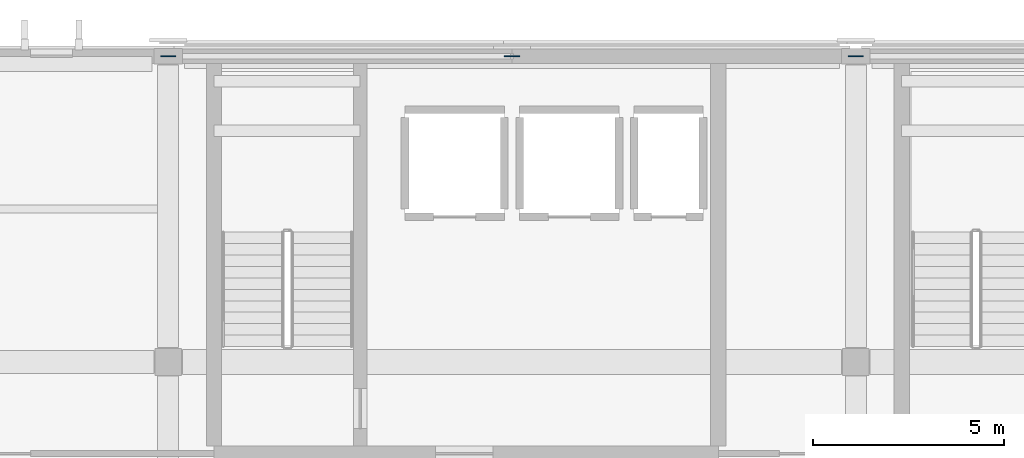
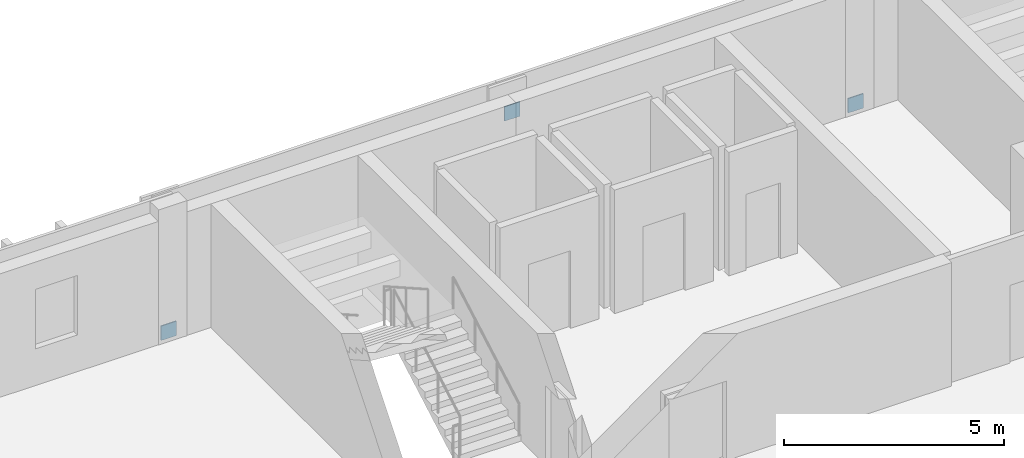
# One storey, part 45 of 73: 3 plates.
"""IFC4 building model written with IfcOpenShell, lengths in metres."""

from ifc_helpers import new_model, si_unit, direction, frame, origin, origin_2d, place, context, subcontext, project, spatial, rectangle, extrude, material, layer, layer_set, type_object, element, save


model = new_model("IFC4")

# Units and contexts
model_context = context("Model", 3, precision=1e-05, world=origin(), true_north=direction((0.0, 1.0)))
body_context = subcontext(model_context, "Body", "Model", "MODEL_VIEW")
ifc_project = project(units=[si_unit("LENGTHUNIT", "METRE"), si_unit("AREAUNIT", "SQUARE_METRE"), si_unit("VOLUMEUNIT", "CUBIC_METRE"), si_unit("PLANEANGLEUNIT", "RADIAN"), si_unit("MASSUNIT", "GRAM", prefix="KILO")], contexts=[model_context])

# Site, building, storey
site_placement = place(None, origin())
site = spatial("IfcSite", under=ifc_project, at=site_placement, CompositionType="ELEMENT")
building_placement = place(site_placement, origin())
building = spatial("IfcBuilding", under=site, at=building_placement, Name="Vervanel Yard Central Library", CompositionType="ELEMENT")
storey_placement = place(building_placement, frame((0.0, 0.0, 12.780029296875)))
storey = spatial("IfcBuildingStorey", under=building, at=storey_placement, Name="L03", CompositionType="ELEMENT", Elevation=12.780029296875)

# Plates
ifc_material = material(Name="Steel ASTM A572 Grade 50", Category="steel")
ifc_layer = layer(ifc_material, 0.028076171875, Category="steel")
ifc_layer_set = layer_set([ifc_layer], Name="Steel ASTM A572 Grade 50")
plate_type = type_object("IfcPlateType", Name="Brace End Cap Plate 28", PredefinedType="SHEET", material=ifc_layer_set)
for number, where, z_axis, x_axis, name in (
    (1, (45.0, 114.0, -0.050048828125), (0.0, 0.0, 1.0), (1.0, 0.0, 0.0), "L03 Lateral Brace End Cap 3-1"),
    (2, (54.0, 114.0, 2.875), (0.0, 0.0, 1.0), (1.0, 0.0, 0.0), "L03 Lateral Brace End Cap 3-2"),
    (3, (63.0, 114.0, -0.050048828125), (0.0, 0.0, 1.0), (1.0, 0.0, 0.0), "L03 Lateral Brace End Cap 6-1"),
):
    element("IfcPlate", number, at=place(storey_placement, frame(where, z_axis=z_axis, x_axis=x_axis)), inside=storey, type_object=plate_type, Name=name, PredefinedType="SHEET", context=body_context, shape_type="SweptSolid", body=[
        extrude(rectangle(XDim=0.39990234375, YDim=0.028076171875, at=origin_2d()), origin(), (0.0, 0.0, 1.0), 0.39990234375),
    ])

save(model, "model.ifc")
